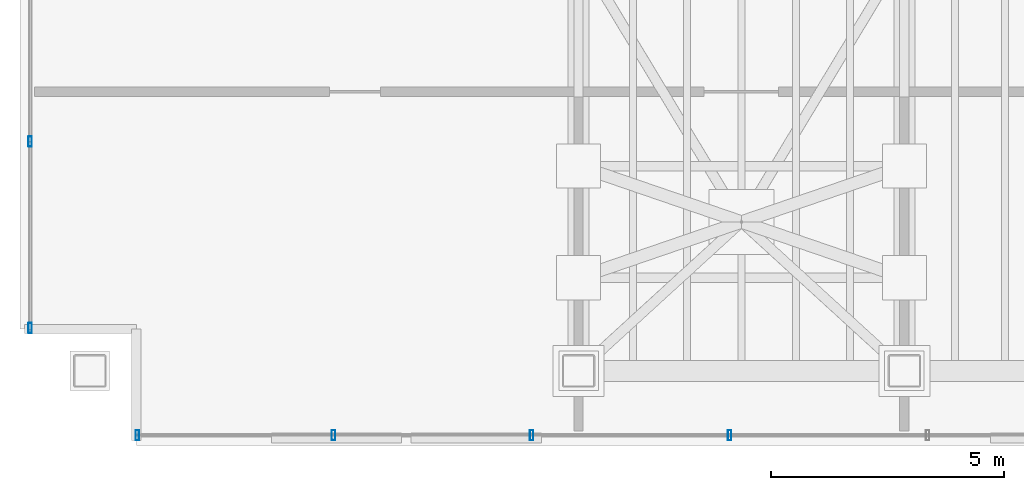
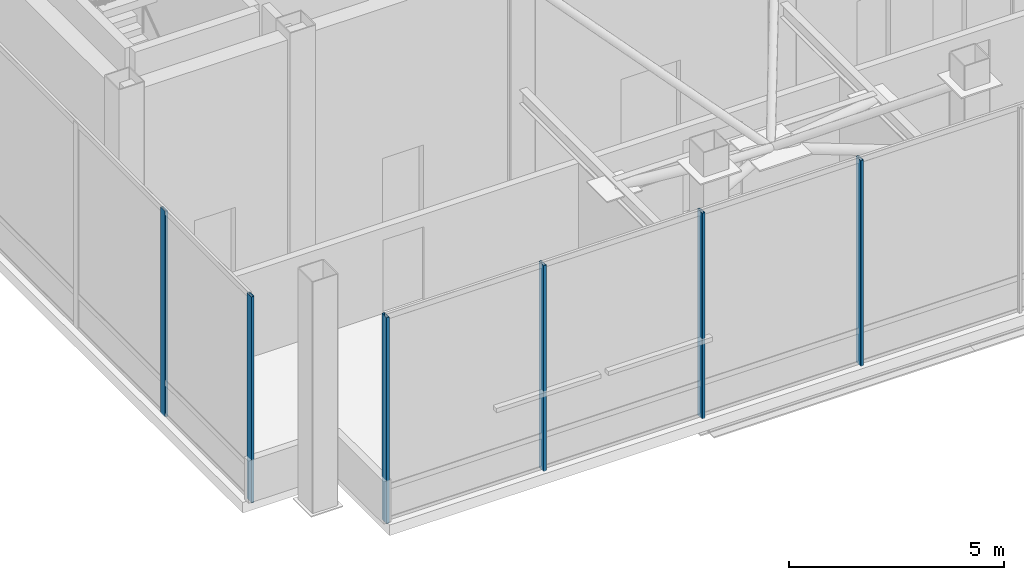
# One storey, part 2 of 19: 6 members, 2 elements without a shape of their own.
"""IFC4 building model written with IfcOpenShell, lengths in metres."""

from ifc_helpers import new_model, si_unit, direction, frame, origin, origin_2d, place, context, subcontext, project, spatial, hollow_rectangle, extrude, material, material_profile, profile_set, type_object, element, aggregate, save


model = new_model("IFC4")

# Units and contexts
model_context = context("Model", 3, precision=1e-05, world=origin(), true_north=direction((0.0, 1.0)))
body_context = subcontext(model_context, "Body", "Model", "MODEL_VIEW")
ifc_project = project(units=[si_unit("LENGTHUNIT", "METRE"), si_unit("AREAUNIT", "SQUARE_METRE"), si_unit("VOLUMEUNIT", "CUBIC_METRE"), si_unit("PLANEANGLEUNIT", "RADIAN"), si_unit("MASSUNIT", "GRAM", prefix="KILO")], contexts=[model_context])

# Site, building, storey
site_placement = place(None, origin())
site = spatial("IfcSite", under=ifc_project, at=site_placement, CompositionType="ELEMENT")
building_placement = place(site_placement, origin())
building = spatial("IfcBuilding", under=site, at=building_placement, Name="Noeulbin Bourse Tower", CompositionType="ELEMENT")
storey_placement = place(building_placement, frame((0.0, 0.0, 306.0)))
storey = spatial("IfcBuildingStorey", under=building, at=storey_placement, Name="L76", CompositionType="ELEMENT", Elevation=306.0)

# Curtain wall, members
ifc_material_1 = material(Name="Translucent Ceramic-Fritted Glass", Category="glass")
curtain_wall_type = type_object("IfcCurtainWallType", Name="CW-SYS-5", PredefinedType="NOTDEFINED", material=ifc_material_1)
curtain_wall_1_placement = place(storey_placement, origin())
curtain_wall_1 = element("IfcCurtainWall", 1, at=curtain_wall_1_placement, inside=storey, type_object=curtain_wall_type, Name="Unitised Curtain Wall CW-L76-S1", PredefinedType="NOTDEFINED")
ifc_material_2 = material(Name="Anodised Aluminium 6063-T6", Category="aluminium")
ifc_material_profile = material_profile(ifc_material_2, hollow_rectangle(XDim=0.074951171875, YDim=0.219970703125, WallThickness=0.0048828125, InnerFilletRadius=0.00244140625, OuterFilletRadius=0.0048828125, at=origin_2d()), Name="ALU-MULL-75x220x5", Category="LoadBearing")
ifc_profile_set = profile_set([ifc_material_profile], Name="Anodised Aluminium 6063-T6")
member_type = type_object("IfcMemberType", Name="CW-SYS-5-MUL", PredefinedType="MULLION", material=ifc_profile_set)
member_1_placement = place(storey_placement, frame((14.52001953125, 18.6201171875, -0.02001953125), z_axis=(0.0, 0.0, 1.0), x_axis=(1.0, 0.0, 0.0)))
member_1 = element("IfcMember", 2, at=member_1_placement, type_object=member_type, Name="Curtain Wall Mullion CW-L76-S1-M00", PredefinedType="MULLION", context=body_context, shape_type="SweptSolid", body=[
    extrude(hollow_rectangle(XDim=0.074951171875, YDim=0.219970703125, WallThickness=0.0048828125, InnerFilletRadius=0.00244140625, OuterFilletRadius=0.0048828125, at=origin_2d()), origin(), (0.0, 0.0, 1.0), 5.840087890625),
])
member_2_placement = place(storey_placement, frame((18.735107421875, 18.6201171875, -0.02001953125), z_axis=(0.0, 0.0, 1.0), x_axis=(1.0, 0.0, 0.0)))
member_2 = element("IfcMember", 3, at=member_2_placement, type_object=member_type, Name="Curtain Wall Mullion CW-L76-S1-M01", PredefinedType="MULLION", context=body_context, shape_type="SweptSolid", body=[
    extrude(hollow_rectangle(XDim=0.074951171875, YDim=0.219970703125, WallThickness=0.0048828125, InnerFilletRadius=0.00244140625, OuterFilletRadius=0.0048828125, at=origin_2d()), origin(), (0.0, 0.0, 1.0), 5.840087890625),
])
member_3_placement = place(storey_placement, frame((22.989990234375, 18.6201171875, -0.02001953125), z_axis=(0.0, 0.0, 1.0), x_axis=(1.0, 0.0, 0.0)))
member_3 = element("IfcMember", 4, at=member_3_placement, type_object=member_type, Name="Curtain Wall Mullion CW-L76-S1-M02", PredefinedType="MULLION", context=body_context, shape_type="SweptSolid", body=[
    extrude(hollow_rectangle(XDim=0.074951171875, YDim=0.219970703125, WallThickness=0.0048828125, InnerFilletRadius=0.00244140625, OuterFilletRadius=0.0048828125, at=origin_2d()), origin(), (0.0, 0.0, 1.0), 5.840087890625),
])
member_4_placement = place(storey_placement, frame((27.2451171875, 18.6201171875, -0.02001953125), z_axis=(0.0, 0.0, 1.0), x_axis=(1.0, 0.0, 0.0)))
member_4 = element("IfcMember", 5, at=member_4_placement, type_object=member_type, Name="Curtain Wall Mullion CW-L76-S1-M03", PredefinedType="MULLION", context=body_context, shape_type="SweptSolid", body=[
    extrude(hollow_rectangle(XDim=0.074951171875, YDim=0.219970703125, WallThickness=0.0048828125, InnerFilletRadius=0.00244140625, OuterFilletRadius=0.0048828125, at=origin_2d()), origin(), (0.0, 0.0, 1.0), 5.840087890625),
])
aggregate(curtain_wall_1, [member_1, member_2, member_3, member_4])

curtain_wall_2_placement = place(storey_placement, origin())
curtain_wall_2 = element("IfcCurtainWall", 6, at=curtain_wall_2_placement, inside=storey, type_object=curtain_wall_type, Name="Unitised Curtain Wall CW-L76-W", PredefinedType="NOTDEFINED")
member_5_placement = place(storey_placement, frame((12.219970703125, 20.919921875, -0.02001953125), z_axis=(0.0, 0.0, 1.0), x_axis=(1.0, 0.0, 0.0)))
member_5 = element("IfcMember", 7, at=member_5_placement, type_object=member_type, Name="Curtain Wall Mullion CW-L76-W-M00", PredefinedType="MULLION", context=body_context, shape_type="SweptSolid", body=[
    extrude(hollow_rectangle(XDim=0.074951171875, YDim=0.219970703125, WallThickness=0.0048828125, InnerFilletRadius=0.00244140625, OuterFilletRadius=0.0048828125, at=origin_2d()), origin(), (0.0, 0.0, 1.0), 5.840087890625),
])
member_6_placement = place(storey_placement, frame((12.219970703125, 24.927978515625, -0.02001953125), z_axis=(0.0, 0.0, 1.0), x_axis=(1.0, 0.0, 0.0)))
member_6 = element("IfcMember", 8, at=member_6_placement, type_object=member_type, Name="Curtain Wall Mullion CW-L76-W-M01", PredefinedType="MULLION", context=body_context, shape_type="SweptSolid", body=[
    extrude(hollow_rectangle(XDim=0.074951171875, YDim=0.219970703125, WallThickness=0.0048828125, InnerFilletRadius=0.00244140625, OuterFilletRadius=0.0048828125, at=origin_2d()), origin(), (0.0, 0.0, 1.0), 5.840087890625),
])
aggregate(curtain_wall_2, [member_5, member_6])

save(model, "model.ifc")
